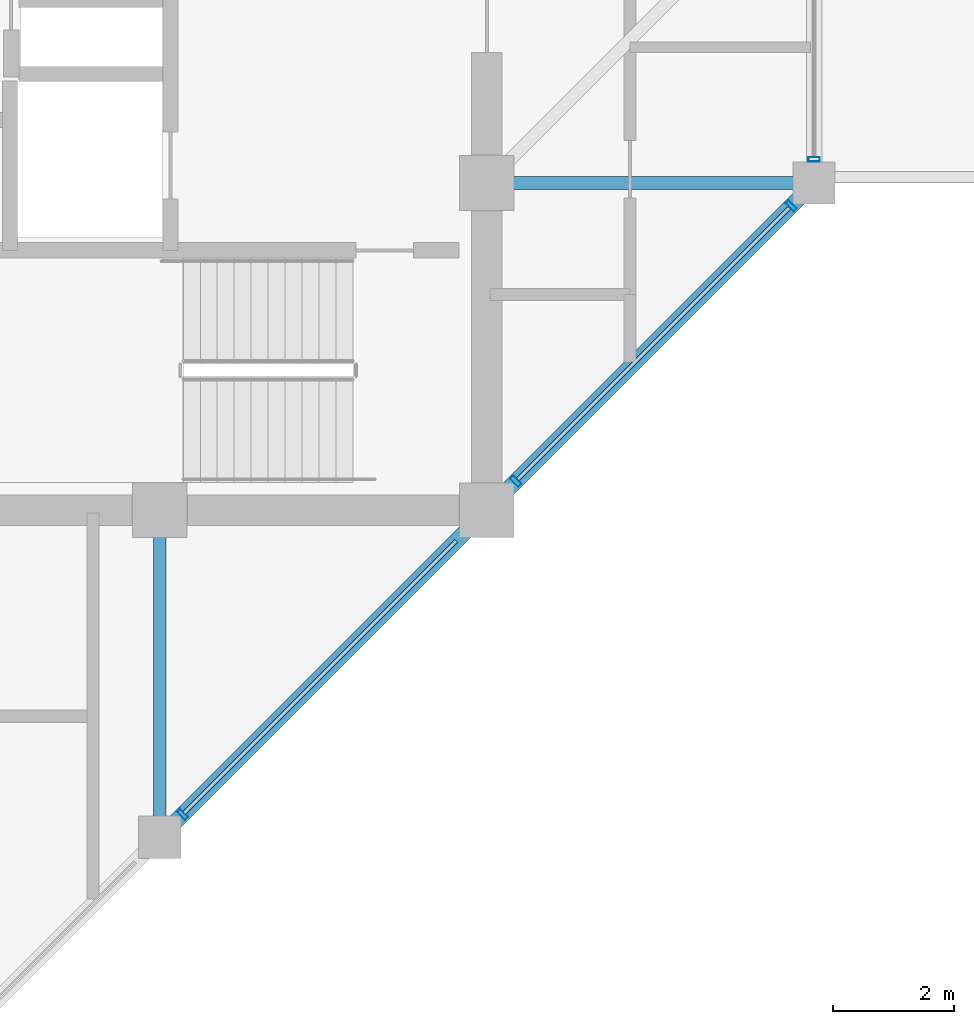
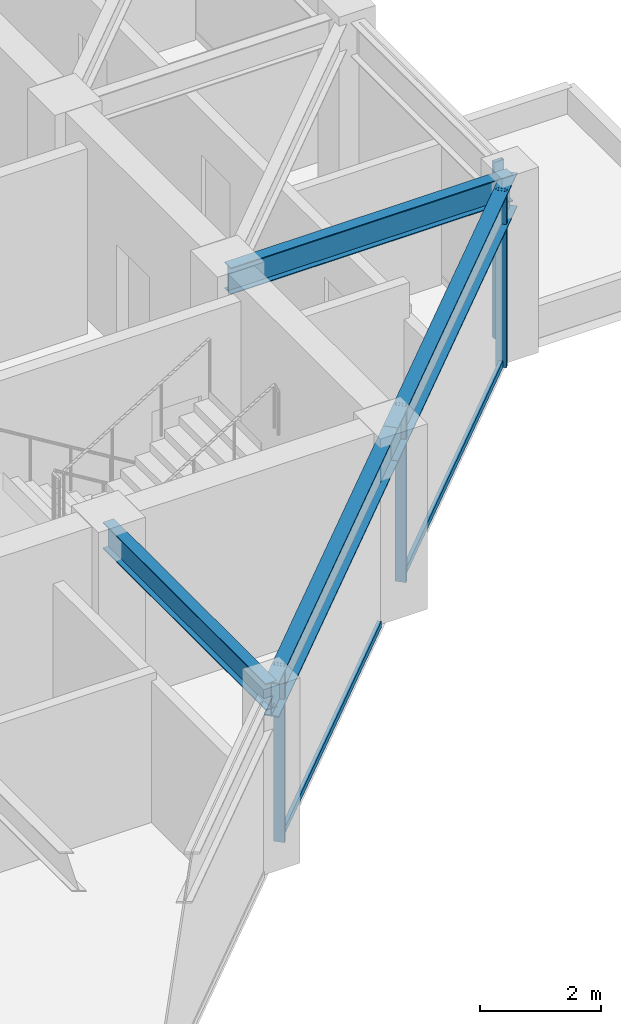
# One storey, part 10 of 29: 6 members, 4 beams, 2 elements without a shape of their own.
"""IFC4 building model written with IfcOpenShell, lengths in metres."""

import ifcopenshell
import ifcopenshell.guid

model = None  # the IFC model being written
_history = None  # IfcOwnerHistory: only IFC2X3 demands one
_inside = {}  # id of a spatial element -> (the spatial element, [elements in it])
_under = {}  # id of a project, library or spatial element -> (it, [spatial elements below it])
_declared = {}  # id of a project -> (the project, [libraries it declares])
_typed = {}  # id of a type object -> (the type object, [elements of that type])
_made_of = {}  # id of a material, layer set ... -> (it, [elements and type objects made of it])


def new_model(schema):
    """Start an empty IFC model of exactly this schema.

    Asked for "IFC4X3", IfcOpenShell would pick the latest addendum, in which some entities
    have other attributes; the version numbers below select the first issue.
    IFC2X3 requires an IfcOwnerHistory on every rooted entity: one is made here for all.
    """
    global model, _history
    if schema == "IFC4X3":
        model = ifcopenshell.file(schema_version=(4, 3, 0, 0))
    else:
        model = ifcopenshell.file(schema=schema)
    _inside.clear()
    _under.clear()
    _declared.clear()
    _typed.clear()
    _made_of.clear()
    _history = None
    if model.schema == "IFC2X3":
        org = make("IfcOrganization", Name="unknown")
        user = make(
            "IfcPersonAndOrganization",
            ThePerson=make("IfcPerson", FamilyName="unknown"),
            TheOrganization=org,
        )
        app = make(
            "IfcApplication",
            ApplicationDeveloper=org,
            Version="unknown",
            ApplicationFullName="unknown",
            ApplicationIdentifier="unknown",
        )
        _history = make(
            "IfcOwnerHistory",
            OwningUser=user,
            OwningApplication=app,
            ChangeAction="ADDED",
            CreationDate=0,
        )
    return model


def make(cls, **values):
    """One entity of the class cls with the attributes given. An attribute that is None is left unset."""
    return model.create_entity(
        cls, **{name: value for name, value in values.items() if value is not None}
    )


def rooted(cls, **values):
    """An entity with a GlobalId (a new one), such as an element, a storey or a relation."""
    return make(cls, GlobalId=ifcopenshell.guid.new(), OwnerHistory=_history, **values)


def si_unit(unit_type, name, prefix=None):
    """IfcSIUnit, for example si_unit("LENGTHUNIT", "METRE", prefix="MILLI")."""
    return make("IfcSIUnit", UnitType=unit_type, Prefix=prefix, Name=name)


def assignment(units):
    """IfcUnitAssignment: the units of a project."""
    return None if units is None else make("IfcUnitAssignment", Units=units)


def point(xyz):
    """IfcCartesianPoint."""
    return None if xyz is None else make("IfcCartesianPoint", Coordinates=xyz)


def direction(xyz):
    """IfcDirection."""
    return None if xyz is None else make("IfcDirection", DirectionRatios=xyz)


def frame(location, z_axis=None, x_axis=None):
    """IfcAxis2Placement3D, a coordinate frame: its origin and axes. An axis left out is left unset."""
    return make(
        "IfcAxis2Placement3D",
        Location=point(location),
        Axis=direction(z_axis),
        RefDirection=direction(x_axis),
    )


def frame_2d(location, x_axis=None):
    """IfcAxis2Placement2D, a coordinate frame in the plane: its origin and x axis."""
    return make(
        "IfcAxis2Placement2D", Location=point(location), RefDirection=direction(x_axis)
    )


def origin():
    """The frame at (0, 0, 0) with its axes left unset."""
    return frame((0.0, 0.0, 0.0))


def origin_2d():
    """The frame at (0, 0) in the plane with its x axis left unset."""
    return frame_2d((0.0, 0.0))


def place(relative_to, where):
    """IfcLocalPlacement: puts the frame where relative to a parent placement (None: the world)."""
    return make(
        "IfcLocalPlacement", PlacementRelTo=relative_to, RelativePlacement=where
    )


def context(
    kind, dimensions, precision=None, world=None, true_north=None, identifier=None
):
    """IfcGeometricRepresentationContext, for example the 3D "Model" context."""
    return make(
        "IfcGeometricRepresentationContext",
        ContextIdentifier=identifier,
        ContextType=kind,
        CoordinateSpaceDimension=dimensions,
        Precision=precision,
        WorldCoordinateSystem=world,
        TrueNorth=true_north,
    )


def subcontext(parent, identifier, kind, view, scale=None):
    """IfcGeometricRepresentationSubContext, for example "Body" below "Model"."""
    return make(
        "IfcGeometricRepresentationSubContext",
        ContextIdentifier=identifier,
        ContextType=kind,
        ParentContext=parent,
        TargetScale=scale,
        TargetView=view,
    )


def project(units=None, contexts=None):
    """IfcProject with its units and contexts."""
    return rooted(
        "IfcProject",
        Name="project",
        RepresentationContexts=contexts,
        UnitsInContext=assignment(units),
    )


def spatial(cls, under=None, at=None, **own):
    """A site, building, storey or space (cls), placed at a placement, below another one or the project."""
    s = rooted(cls, ObjectPlacement=at, **own)
    if under is not None:
        _under.setdefault(under.id(), (under, []))[1].append(s)
    return s


def profile(cls, at=None, kind="AREA", **sizes):
    """A parametric profile (cls). Its sizes go by their IFC names, for example OverallWidth=200.0."""
    return make(cls, ProfileType=kind, Position=at, **sizes)


def hollow_rectangle(**sizes):
    """IfcRectangleHollowProfileDef."""
    return profile("IfcRectangleHollowProfileDef", **sizes)


def i_section(**sizes):
    """IfcIShapeProfileDef."""
    return profile("IfcIShapeProfileDef", **sizes)


def extrude(swept, where, along, depth):
    """IfcExtrudedAreaSolid: the profile swept, set in the frame where, extruded along a direction by depth."""
    return make(
        "IfcExtrudedAreaSolid",
        SweptArea=swept,
        Position=where,
        ExtrudedDirection=direction(along),
        Depth=depth,
    )


def shape(context_of_items, identifier, shape_type, items):
    """IfcShapeRepresentation: the items that make up one representation, for example the "Body"."""
    return make(
        "IfcShapeRepresentation",
        ContextOfItems=context_of_items,
        RepresentationIdentifier=identifier,
        RepresentationType=shape_type,
        Items=items,
    )


def material(Name=None, Category=None):
    """IfcMaterial."""
    return make("IfcMaterial", Name=Name, Category=Category)


def layer(
    of_material, thickness, ventilated=None, Name=None, Category=None, Priority=None
):
    """IfcMaterialLayer: one layer of a wall or slab, of a material (None: an air gap)."""
    return make(
        "IfcMaterialLayer",
        Material=of_material,
        LayerThickness=thickness,
        IsVentilated=ventilated,
        Name=Name,
        Category=Category,
        Priority=Priority,
    )


def layer_set(layers, Name=None):
    """IfcMaterialLayerSet."""
    return make("IfcMaterialLayerSet", MaterialLayers=layers, LayerSetName=Name)


def material_profile(
    of_material, cross_section, Name=None, Category=None, Priority=None
):
    """IfcMaterialProfile: a cross section and its material."""
    return make(
        "IfcMaterialProfile",
        Name=Name,
        Material=of_material,
        Profile=cross_section,
        Priority=Priority,
        Category=Category,
    )


def profile_set(profiles, Name=None, composite=None):
    """IfcMaterialProfileSet."""
    return make(
        "IfcMaterialProfileSet",
        Name=Name,
        MaterialProfiles=profiles,
        CompositeProfile=composite,
    )


def made_of(thing, what):
    """Note that an element or type object is made of a material, layer set ...; save() writes the relation."""
    if what is not None:
        _made_of.setdefault(what.id(), (what, []))[1].append(thing)
    return thing


def type_object(cls, material=None, **own):
    """A type object (cls), such as IfcWallType, which elements share."""
    return made_of(rooted(cls, **own), material)


def element(
    cls,
    number,
    at=None,
    inside=None,
    cuts=None,
    type_object=None,
    material=None,
    context=None,
    identifier="Body",
    shape_type=None,
    held_by="IfcProductDefinitionShape",
    body=None,
    shapes=None,
    **own,
):
    """One element of the class cls, such as IfcWall. Its Tag is "e" and its number.

    at: its placement. inside: the storey or other place that contains it. cuts: it is an
    opening in that element (IfcRelVoidsElement). A single representation is given by context,
    identifier, shape_type and body (its items); several are given by shapes. held_by: the class
    of the entity that holds the representations. save() writes the other relations.
    """
    e = rooted(cls, Tag="e%d" % number, ObjectPlacement=at, **own)
    if body is not None:
        shapes = [shape(context, identifier, shape_type, body)]
    if shapes is not None:
        e.Representation = make(held_by, Representations=shapes)
    if inside is not None:
        _inside.setdefault(inside.id(), (inside, []))[1].append(e)
    if cuts is not None:
        rooted(
            "IfcRelVoidsElement", RelatingBuildingElement=cuts, RelatedOpeningElement=e
        )
    if type_object is not None:
        _typed.setdefault(type_object.id(), (type_object, []))[1].append(e)
    return made_of(e, material)


def aggregate(whole, parts):
    """IfcRelAggregates: a whole, such as a stair, and the parts it consists of."""
    return rooted("IfcRelAggregates", RelatingObject=whole, RelatedObjects=parts)


def save(model, path):
    """Write the relations noted so far, then the file.

    IfcRelAggregates (storeys below a building ...), IfcRelContainedInSpatialStructure (elements
    in a storey), IfcRelDefinesByType, IfcRelAssociatesMaterial and IfcRelDeclares: one each for
    every whole, place, type object, material and project.
    """
    for whole, parts in _under.values():
        aggregate(whole, parts)
    for where, things in _inside.values():
        rooted(
            "IfcRelContainedInSpatialStructure",
            RelatedElements=things,
            RelatingStructure=where,
        )
    for kind, things in _typed.values():
        rooted("IfcRelDefinesByType", RelatedObjects=things, RelatingType=kind)
    for what, things in _made_of.values():
        rooted("IfcRelAssociatesMaterial", RelatedObjects=things, RelatingMaterial=what)
    for by, libraries in _declared.values():
        rooted("IfcRelDeclares", RelatingContext=by, RelatedDefinitions=libraries)
    model.write(path)


model = new_model("IFC4")

# Units and contexts
model_context = context("Model", 3, precision=1e-05, world=origin(), true_north=direction((0.0, 1.0)))
body_context = subcontext(model_context, "Body", "Model", "MODEL_VIEW")
ifc_project = project(units=[si_unit("LENGTHUNIT", "METRE"), si_unit("AREAUNIT", "SQUARE_METRE"), si_unit("VOLUMEUNIT", "CUBIC_METRE"), si_unit("PLANEANGLEUNIT", "RADIAN"), si_unit("MASSUNIT", "GRAM", prefix="KILO")], contexts=[model_context])

# Site, building, storey
site_placement = place(None, origin())
site = spatial("IfcSite", under=ifc_project, at=site_placement, CompositionType="ELEMENT")
building_placement = place(site_placement, origin())
building = spatial("IfcBuilding", under=site, at=building_placement, Name="Surkhivell Harbour Commons", CompositionType="ELEMENT")
storey_placement = place(building_placement, frame((0.0, 0.0, 326.25)))
storey = spatial("IfcBuildingStorey", under=building, at=storey_placement, Name="L85", CompositionType="ELEMENT", Elevation=326.25)

# Beams
ifc_material_1 = material(Name="Steel S355", Category="steel")
ifc_material_profile_1 = material_profile(ifc_material_1, i_section(OverallWidth=0.2099609375, OverallDepth=0.537109375, WebThickness=0.0107421875, FlangeThickness=0.017333984375, at=origin_2d()), Name="UB533x210x101")
ifc_profile_set_1 = profile_set([ifc_material_profile_1], Name="Steel S355")
beam_type_1 = type_object("IfcBeamType", Name="BM-GRD-533B", PredefinedType="BEAM", material=ifc_profile_set_1)
for number, where, z_axis, x_axis, name in (
    (1, (5.39990234375, -16.199951171875, 3.301513671875), (0.0, 1.0, 0.0), (-1.0, 0.0, 0.0), "L85 Floor Girder (5.4,-16.2)"),
    (2, (10.800048828125, -5.39990234375, 3.301513671875), (1.0, 0.0, 0.0), (0.0, 1.0, 0.0), "L85 Floor Girder (10.8,-5.4)"),
):
    element("IfcBeam", number, at=place(storey_placement, frame(where, z_axis=z_axis, x_axis=x_axis)), inside=storey, type_object=beam_type_1, Name=name, PredefinedType="BEAM", context=body_context, shape_type="SweptSolid", body=[
        extrude(i_section(OverallWidth=0.2099609375, OverallDepth=0.537109375, WebThickness=0.0107421875, FlangeThickness=0.017333984375, at=origin_2d()), origin(), (0.0, 0.0, 1.0), 5.39990234375),
    ])
ifc_material_profile_2 = material_profile(ifc_material_1, i_section(OverallWidth=0.256103515625, OverallDepth=0.693115234375, WebThickness=0.014404296875, FlangeThickness=0.023681640625, at=origin_2d()), Name="UB686x254x170")
ifc_profile_set_2 = profile_set([ifc_material_profile_2], Name="Steel S355")
beam_type_2 = type_object("IfcBeamType", Name="BM-SPN-686", PredefinedType="SPANDREL", material=ifc_profile_set_2)
for number, where, z_axis, x_axis, name in (
    (3, (5.39990234375, -16.199951171875, 3.223388671875), (0.707122765516, 0.707090796496, 0.0), (-0.707090796496, 0.707122765516, 0.0), "L85 Tube Spandrel (5.4,-16.2)"),
    (4, (10.800048828125, -10.800048828125, 3.223388671875), (0.707090796496, 0.707122765516, 0.0), (-0.707122765516, 0.707090796496, 0.0), "L85 Tube Spandrel (10.8,-10.8)"),
):
    element("IfcBeam", number, at=place(storey_placement, frame(where, z_axis=z_axis, x_axis=x_axis)), inside=storey, type_object=beam_type_2, Name=name, PredefinedType="SPANDREL", context=body_context, shape_type="SweptSolid", body=[
        extrude(i_section(OverallWidth=0.256103515625, OverallDepth=0.693115234375, WebThickness=0.014404296875, FlangeThickness=0.023681640625, at=origin_2d()), origin(), (0.0, 0.0, 1.0), 7.63671875),
    ])

# Curtain wall, members
ifc_material_2 = material(Name="Anodised pale-metal aluminium and insulated glazing", Category="aluminium")
ifc_layer = layer(ifc_material_2, 0.175048828125)
ifc_layer_set = layer_set([ifc_layer], Name="Anodised pale-metal aluminium and insulated glazing")
curtain_wall_type = type_object("IfcCurtainWallType", Name="CW-SYS-Z4", PredefinedType="NOTDEFINED", material=ifc_layer_set)
curtain_wall_1_placement = place(storey_placement, origin())
curtain_wall_1 = element("IfcCurtainWall", 5, at=curtain_wall_1_placement, inside=storey, type_object=curtain_wall_type, Name="L85 Curtain Wall CW-L85-E01", PredefinedType="NOTDEFINED")
ifc_material_3 = material(Name="Anodised pale-metal aluminium alloy 6063-T6", Category="aluminium")
ifc_material_profile_3 = material_profile(ifc_material_3, hollow_rectangle(XDim=0.074951171875, YDim=0.18994140625, WallThickness=0.00390625, at=origin_2d()), Name="ALU-MULL-75x190")
ifc_profile_set_3 = profile_set([ifc_material_profile_3], Name="Anodised pale-metal aluminium alloy 6063-T6")
member_type_1 = type_object("IfcMemberType", Name="CWM-190", PredefinedType="MULLION", material=ifc_profile_set_3)
member_1_placement = place(storey_placement, frame((5.778076171875, -15.82177734375, 0.0), z_axis=(0.0, 0.0, 1.0), x_axis=(0.707106781187, 0.707106781187, 0.0)))
member_1 = element("IfcMember", 6, at=member_1_placement, type_object=member_type_1, Name="CW-Z4 mullion 2", PredefinedType="MULLION", context=body_context, shape_type="SweptSolid", body=[
    extrude(hollow_rectangle(XDim=0.074951171875, YDim=0.18994140625, WallThickness=0.00390625, at=origin_2d()), origin(), (0.0, 0.0, 1.0), 3.570068359375),
])
member_2_placement = place(storey_placement, frame((11.278076171875, -10.32177734375, 0.0), z_axis=(0.0, 0.0, 1.0), x_axis=(0.707106781187, 0.707106781187, 0.0)))
member_2 = element("IfcMember", 7, at=member_2_placement, type_object=member_type_1, Name="CW-Z4 mullion 3", PredefinedType="MULLION", context=body_context, shape_type="SweptSolid", body=[
    extrude(hollow_rectangle(XDim=0.074951171875, YDim=0.18994140625, WallThickness=0.00390625, at=origin_2d()), origin(), (0.0, 0.0, 1.0), 3.570068359375),
])
member_3_placement = place(storey_placement, frame((15.82177734375, -5.778076171875, 0.0), z_axis=(0.0, 0.0, 1.0), x_axis=(0.707106781187, 0.707106781187, 0.0)))
member_3 = element("IfcMember", 8, at=member_3_placement, type_object=member_type_1, Name="CW-Z4 mullion 4", PredefinedType="MULLION", context=body_context, shape_type="SweptSolid", body=[
    extrude(hollow_rectangle(XDim=0.074951171875, YDim=0.18994140625, WallThickness=0.00390625, at=origin_2d()), origin(), (0.0, 0.0, 1.0), 3.570068359375),
])

# Curtain wall, member
curtain_wall_2_placement = place(storey_placement, origin())
curtain_wall_2 = element("IfcCurtainWall", 9, at=curtain_wall_2_placement, inside=storey, type_object=curtain_wall_type, Name="L85 Curtain Wall CW-L85-E02", PredefinedType="NOTDEFINED")
member_4_placement = place(storey_placement, frame((16.199951171875, -5.010498046875, 0.0), z_axis=(0.0, 0.0, 1.0), x_axis=(0.0, 1.0, 0.0)))
member_4 = element("IfcMember", 10, at=member_4_placement, type_object=member_type_1, Name="CW-Z4 mullion 1", PredefinedType="MULLION", context=body_context, shape_type="SweptSolid", body=[
    extrude(hollow_rectangle(XDim=0.074951171875, YDim=0.18994140625, WallThickness=0.00390625, at=origin_2d()), origin(), (0.0, 0.0, 1.0), 3.570068359375),
])
aggregate(curtain_wall_2, [member_4])

# Member
ifc_material_4 = material(Name="Champagne anodised aluminium alloy 6063-T6", Category="aluminium")
ifc_material_profile_4 = material_profile(ifc_material_4, hollow_rectangle(XDim=0.070068359375, YDim=0.1298828125, WallThickness=0.00341796875, at=origin_2d()), Name="ALU-TRAN-70x130")
ifc_profile_set_4 = profile_set([ifc_material_profile_4], Name="Champagne anodised aluminium alloy 6063-T6")
member_type_2 = type_object("IfcMemberType", Name="CWT-130", PredefinedType="USERDEFINED", material=ifc_profile_set_4)
member_5_placement = place(storey_placement, frame((5.8046875, -15.79541015625, 0.06494140625), z_axis=(0.707106781187, 0.707106781187, 0.0), x_axis=(-0.707106781187, 0.707106781187, 0.0)))
member_5 = element("IfcMember", 11, at=member_5_placement, type_object=member_type_2, Name="CW-Z4 transom 2.1", ObjectType="TRANSOM", PredefinedType="USERDEFINED", context=body_context, shape_type="SweptSolid", body=[
    extrude(hollow_rectangle(XDim=0.070068359375, YDim=0.1298828125, WallThickness=0.00341796875, at=origin_2d()), origin(), (0.0, 0.0, 1.0), 6.350830078125),
])

member_6_placement = place(storey_placement, frame((11.3046875, -10.29541015625, 0.06494140625), z_axis=(0.707106781187, 0.707106781187, 0.0), x_axis=(-0.707106781187, 0.707106781187, 0.0)))
member_6 = element("IfcMember", 12, at=member_6_placement, type_object=member_type_2, Name="CW-Z4 transom 3.1", ObjectType="TRANSOM", PredefinedType="USERDEFINED", context=body_context, shape_type="SweptSolid", body=[
    extrude(hollow_rectangle(XDim=0.070068359375, YDim=0.1298828125, WallThickness=0.00341796875, at=origin_2d()), origin(), (0.0, 0.0, 1.0), 6.350830078125),
])

aggregate(curtain_wall_1, [member_1, member_5, member_2, member_3, member_6])

save(model, "model.ifc")
